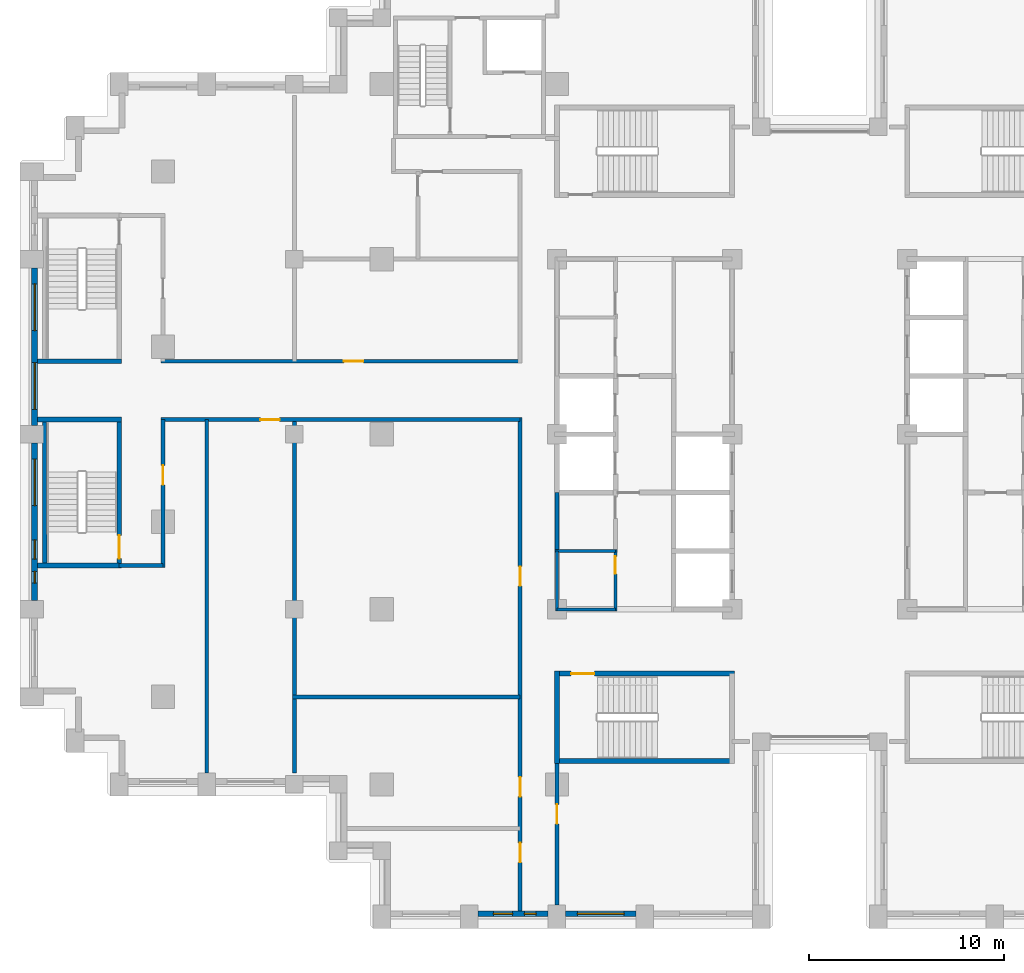
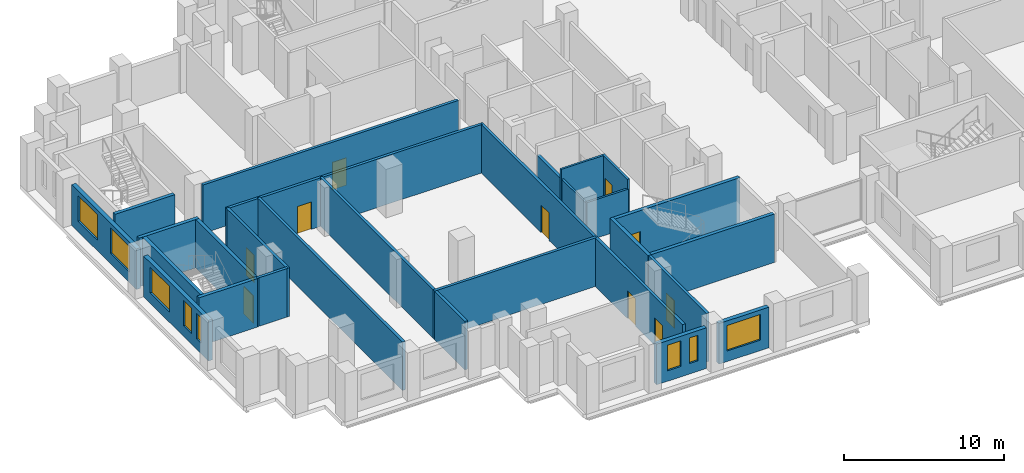
# One storey, part 6 of 15: 26 walls, 10 doors, 8 windows, 18 openings.
"""IFC4 building model written with IfcOpenShell, lengths in metres."""

from ifc_helpers import new_model, si_unit, direction, frame, frame_2d, origin, place, context, subcontext, project, spatial, rectangle, extrude, material, layer, layer_set, type_object, element, fill, save


model = new_model("IFC4")

# Units and contexts
model_context = context("Model", 3, precision=1e-05, world=origin(), true_north=direction((0.0, 1.0)))
body_context = subcontext(model_context, "Body", "Model", "MODEL_VIEW")
ifc_project = project(units=[si_unit("LENGTHUNIT", "METRE"), si_unit("AREAUNIT", "SQUARE_METRE"), si_unit("VOLUMEUNIT", "CUBIC_METRE"), si_unit("PLANEANGLEUNIT", "RADIAN"), si_unit("MASSUNIT", "GRAM", prefix="KILO")], contexts=[model_context])

# Site, building, storey
site_placement = place(None, origin())
site = spatial("IfcSite", under=ifc_project, at=site_placement, CompositionType="ELEMENT")
building_placement = place(site_placement, origin())
building = spatial("IfcBuilding", under=site, at=building_placement, Name="Corbelhall Arena Tower", CompositionType="ELEMENT")
storey_placement = place(building_placement, frame((0.0, 0.0, 88.0)))
storey = spatial("IfcBuildingStorey", under=building, at=storey_placement, Name="L14", CompositionType="ELEMENT", Elevation=88.0)

# Wall, openings, windows
ifc_material_1 = material(Name="Precast concrete C40/50 with granite facing", Category="masonry")
ifc_layer_1 = layer(ifc_material_1, 0.300048828125)
ifc_layer_set_1 = layer_set([ifc_layer_1], Name="EV-IW1 Infill panel 300")
wall_type_1 = type_object("IfcWallType", Name="EV-IW1 Infill panel 300", PredefinedType="SOLIDWALL", material=ifc_layer_set_1)
wall_1_placement = place(storey_placement, frame((-40.35009765625, 8.550048828125, 0.0), z_axis=(0.0, 0.0, 1.0), x_axis=(0.0, -1.0, 0.0)))
wall_1 = element("IfcWall", 1, at=wall_1_placement, inside=storey, type_object=wall_type_1, Name="Infill panel IW1", PredefinedType="SOLIDWALL", context=body_context, shape_type="SweptSolid", body=[
    extrude(rectangle(XDim=8.10009765625, YDim=0.300048828125, at=frame_2d((4.050048828125, 0.0))), origin(), (0.0, 0.0, 1.0), 3.10009765625),
])
opening_1_placement = place(wall_1_placement, frame((0.824951171875, 0.0, 0.800048828125)))
opening_1 = element("IfcOpeningElement", 2, at=opening_1_placement, cuts=wall_1, Name="Opening WN1", PredefinedType="OPENING", context=body_context, shape_type="SweptSolid", body=[
    extrude(rectangle(XDim=2.39990234375, YDim=1.949951171875, at=frame_2d((1.199951171875, 0.97509765625))), frame((0.0, 0.14990234375, 0.0), z_axis=(0.0, -1.0, 0.0), x_axis=(1.0, 0.0, 0.0)), (0.0, 0.0, 1.0), 0.300048828125),
])
opening_2_placement = place(wall_1_placement, frame((4.875, 0.0, 0.800048828125)))
opening_2 = element("IfcOpeningElement", 3, at=opening_2_placement, cuts=wall_1, Name="Opening WN1", PredefinedType="OPENING", context=body_context, shape_type="SweptSolid", body=[
    extrude(rectangle(XDim=2.39990234375, YDim=1.949951171875, at=frame_2d((1.199951171875, 0.97509765625))), frame((0.0, 0.14990234375, 0.0), z_axis=(0.0, -1.0, 0.0), x_axis=(1.0, 0.0, 0.0)), (0.0, 0.0, 1.0), 0.300048828125),
])
ifc_material_2 = material(Name="Aluminium black anodised", Category="aluminium")
window_type_1 = type_object("IfcWindowType", Name="EV-WN1 Office window", PartitioningType="SINGLE_PANEL", PredefinedType="WINDOW", material=ifc_material_2)
window_1_placement = place(opening_1_placement, origin())
window_1 = element("IfcWindow", 4, at=window_1_placement, inside=storey, type_object=window_type_1, Name="Window WN1", OverallHeight=1.949951171875, OverallWidth=2.39990234375, PartitioningType="SINGLE_PANEL", PredefinedType="WINDOW", context=body_context, shape_type="SweptSolid", body=[
    extrude(rectangle(XDim=2.39990234375, YDim=1.949951171875, at=frame_2d((1.199951171875, 0.97509765625))), frame((0.0, 0.030029296875, 0.0), z_axis=(0.0, -1.0, 0.0), x_axis=(1.0, 0.0, 0.0)), (0.0, 0.0, 1.0), 0.06005859375),
])
fill(opening_1, window_1)
window_2_placement = place(opening_2_placement, origin())
window_2 = element("IfcWindow", 5, at=window_2_placement, inside=storey, type_object=window_type_1, Name="Window WN1", OverallHeight=1.949951171875, OverallWidth=2.39990234375, PartitioningType="SINGLE_PANEL", PredefinedType="WINDOW", context=body_context, shape_type="SweptSolid", body=[
    extrude(rectangle(XDim=2.39990234375, YDim=1.949951171875, at=frame_2d((1.199951171875, 0.97509765625))), frame((0.0, 0.030029296875, 0.0), z_axis=(0.0, -1.0, 0.0), x_axis=(1.0, 0.0, 0.0)), (0.0, 0.0, 1.0), 0.06005859375),
])
fill(opening_2, window_2)

wall_2_placement = place(storey_placement, frame((-40.35009765625, -0.449951171875, 0.0), z_axis=(0.0, 0.0, 1.0), x_axis=(0.0, -1.0, 0.0)))
wall_2 = element("IfcWall", 6, at=wall_2_placement, inside=storey, type_object=wall_type_1, Name="Infill panel IW1", PredefinedType="SOLIDWALL", context=body_context, shape_type="SweptSolid", body=[
    extrude(rectangle(XDim=8.10009765625, YDim=0.300048828125, at=frame_2d((4.050048828125, 0.0))), origin(), (0.0, 0.0, 1.0), 3.10009765625),
])
opening_3_placement = place(wall_2_placement, frame((0.824951171875, 0.0, 0.800048828125)))
opening_3 = element("IfcOpeningElement", 7, at=opening_3_placement, cuts=wall_2, Name="Opening WN1", PredefinedType="OPENING", context=body_context, shape_type="SweptSolid", body=[
    extrude(rectangle(XDim=2.39990234375, YDim=1.949951171875, at=frame_2d((1.199951171875, 0.97509765625))), frame((0.0, 0.14990234375, 0.0), z_axis=(0.0, -1.0, 0.0), x_axis=(1.0, 0.0, 0.0)), (0.0, 0.0, 1.0), 0.300048828125),
])
opening_4_placement = place(wall_2_placement, frame((4.97509765625, 0.0, 0.800048828125)))
opening_4 = element("IfcOpeningElement", 8, at=opening_4_placement, cuts=wall_2, Name="Opening WN6", PredefinedType="OPENING", context=body_context, shape_type="SweptSolid", body=[
    extrude(rectangle(XDim=1.0, YDim=1.949951171875, at=frame_2d((0.5, 0.97509765625))), frame((0.0, 0.14990234375, 0.0), z_axis=(0.0, -1.0, 0.0), x_axis=(1.0, 0.0, 0.0)), (0.0, 0.0, 1.0), 0.300048828125),
])
opening_5_placement = place(wall_2_placement, frame((6.60009765625, 0.0, 0.800048828125)))
opening_5 = element("IfcOpeningElement", 9, at=opening_5_placement, cuts=wall_2, Name="Opening WN5", PredefinedType="OPENING", context=body_context, shape_type="SweptSolid", body=[
    extrude(rectangle(XDim=0.60009765625, YDim=1.949951171875, at=frame_2d((0.300048828125, 0.97509765625))), frame((0.0, 0.14990234375, 0.0), z_axis=(0.0, -1.0, 0.0), x_axis=(1.0, 0.0, 0.0)), (0.0, 0.0, 1.0), 0.300048828125),
])
window_3_placement = place(opening_3_placement, origin())
window_3 = element("IfcWindow", 10, at=window_3_placement, inside=storey, type_object=window_type_1, Name="Window WN1", OverallHeight=1.949951171875, OverallWidth=2.39990234375, PartitioningType="SINGLE_PANEL", PredefinedType="WINDOW", context=body_context, shape_type="SweptSolid", body=[
    extrude(rectangle(XDim=2.39990234375, YDim=1.949951171875, at=frame_2d((1.199951171875, 0.97509765625))), frame((0.0, 0.030029296875, 0.0), z_axis=(0.0, -1.0, 0.0), x_axis=(1.0, 0.0, 0.0)), (0.0, 0.0, 1.0), 0.06005859375),
])
fill(opening_3, window_3)
window_type_2 = type_object("IfcWindowType", Name="EV-WN5 Office window 600", PartitioningType="SINGLE_PANEL", PredefinedType="WINDOW", material=ifc_material_2)
window_4_placement = place(opening_5_placement, origin())
window_4 = element("IfcWindow", 11, at=window_4_placement, inside=storey, type_object=window_type_2, Name="Window WN5", OverallHeight=1.949951171875, OverallWidth=0.60009765625, PartitioningType="SINGLE_PANEL", PredefinedType="WINDOW", context=body_context, shape_type="SweptSolid", body=[
    extrude(rectangle(XDim=0.60009765625, YDim=1.949951171875, at=frame_2d((0.300048828125, 0.97509765625))), frame((0.0, 0.030029296875, 0.0), z_axis=(0.0, -1.0, 0.0), x_axis=(1.0, 0.0, 0.0)), (0.0, 0.0, 1.0), 0.06005859375),
])
fill(opening_5, window_4)
window_type_3 = type_object("IfcWindowType", Name="EV-WN6 Office window 1000", PartitioningType="SINGLE_PANEL", PredefinedType="WINDOW", material=ifc_material_2)
window_5_placement = place(opening_4_placement, origin())
window_5 = element("IfcWindow", 12, at=window_5_placement, inside=storey, type_object=window_type_3, Name="Window WN6", OverallHeight=1.949951171875, OverallWidth=1.0, PartitioningType="SINGLE_PANEL", PredefinedType="WINDOW", context=body_context, shape_type="SweptSolid", body=[
    extrude(rectangle(XDim=1.0, YDim=1.949951171875, at=frame_2d((0.5, 0.97509765625))), frame((0.0, 0.030029296875, 0.0), z_axis=(0.0, -1.0, 0.0), x_axis=(1.0, 0.0, 0.0)), (0.0, 0.0, 1.0), 0.06005859375),
])
fill(opening_4, window_5)

wall_3_placement = place(storey_placement, frame((-17.550048828125, -24.64990234375, 0.0), z_axis=(0.0, 0.0, 1.0), x_axis=(1.0, 0.0, 0.0)))
wall_3 = element("IfcWall", 13, at=wall_3_placement, inside=storey, type_object=wall_type_1, Name="Infill panel IW1", PredefinedType="SOLIDWALL", context=body_context, shape_type="SweptSolid", body=[
    extrude(rectangle(XDim=3.60009765625, YDim=0.300048828125, at=frame_2d((1.800048828125, 0.0))), origin(), (0.0, 0.0, 1.0), 3.10009765625),
])
opening_6_placement = place(wall_3_placement, frame((0.77490234375, 0.0, 0.800048828125)))
opening_6 = element("IfcOpeningElement", 14, at=opening_6_placement, cuts=wall_3, Name="Opening WN6", PredefinedType="OPENING", context=body_context, shape_type="SweptSolid", body=[
    extrude(rectangle(XDim=1.0, YDim=1.949951171875, at=frame_2d((0.5, 0.97509765625))), frame((0.0, 0.14990234375, 0.0), z_axis=(0.0, -1.0, 0.0), x_axis=(1.0, 0.0, 0.0)), (0.0, 0.0, 1.0), 0.300048828125),
])
opening_7_placement = place(wall_3_placement, frame((2.375, 0.0, 0.800048828125)))
opening_7 = element("IfcOpeningElement", 15, at=opening_7_placement, cuts=wall_3, Name="Opening WN5", PredefinedType="OPENING", context=body_context, shape_type="SweptSolid", body=[
    extrude(rectangle(XDim=0.60009765625, YDim=1.949951171875, at=frame_2d((0.300048828125, 0.97509765625))), frame((0.0, 0.14990234375, 0.0), z_axis=(0.0, -1.0, 0.0), x_axis=(1.0, 0.0, 0.0)), (0.0, 0.0, 1.0), 0.300048828125),
])
window_6_placement = place(opening_7_placement, origin())
window_6 = element("IfcWindow", 16, at=window_6_placement, inside=storey, type_object=window_type_2, Name="Window WN5", OverallHeight=1.949951171875, OverallWidth=0.60009765625, PartitioningType="SINGLE_PANEL", PredefinedType="WINDOW", context=body_context, shape_type="SweptSolid", body=[
    extrude(rectangle(XDim=0.60009765625, YDim=1.949951171875, at=frame_2d((0.300048828125, 0.97509765625))), frame((0.0, 0.030029296875, 0.0), z_axis=(0.0, -1.0, 0.0), x_axis=(1.0, 0.0, 0.0)), (0.0, 0.0, 1.0), 0.06005859375),
])
fill(opening_7, window_6)
window_7_placement = place(opening_6_placement, origin())
window_7 = element("IfcWindow", 17, at=window_7_placement, inside=storey, type_object=window_type_3, Name="Window WN6", OverallHeight=1.949951171875, OverallWidth=1.0, PartitioningType="SINGLE_PANEL", PredefinedType="WINDOW", context=body_context, shape_type="SweptSolid", body=[
    extrude(rectangle(XDim=1.0, YDim=1.949951171875, at=frame_2d((0.5, 0.97509765625))), frame((0.0, 0.030029296875, 0.0), z_axis=(0.0, -1.0, 0.0), x_axis=(1.0, 0.0, 0.0)), (0.0, 0.0, 1.0), 0.06005859375),
])
fill(opening_6, window_7)

# Wall, opening, window
wall_4_placement = place(storey_placement, frame((-13.050048828125, -24.64990234375, 0.0), z_axis=(0.0, 0.0, 1.0), x_axis=(1.0, 0.0, 0.0)))
wall_4 = element("IfcWall", 18, at=wall_4_placement, inside=storey, type_object=wall_type_1, Name="Infill panel IW1", PredefinedType="SOLIDWALL", context=body_context, shape_type="SweptSolid", body=[
    extrude(rectangle(XDim=3.60009765625, YDim=0.300048828125, at=frame_2d((1.800048828125, 0.0))), origin(), (0.0, 0.0, 1.0), 3.10009765625),
])
opening_8_placement = place(wall_4_placement, frame((0.60009765625, 0.0, 0.800048828125)))
opening_8 = element("IfcOpeningElement", 19, at=opening_8_placement, cuts=wall_4, Name="Opening WN1", PredefinedType="OPENING", context=body_context, shape_type="SweptSolid", body=[
    extrude(rectangle(XDim=2.39990234375, YDim=1.949951171875, at=frame_2d((1.199951171875, 0.97509765625))), frame((0.0, 0.14990234375, 0.0), z_axis=(0.0, -1.0, 0.0), x_axis=(1.0, 0.0, 0.0)), (0.0, 0.0, 1.0), 0.300048828125),
])
window_8_placement = place(opening_8_placement, origin())
window_8 = element("IfcWindow", 20, at=window_8_placement, inside=storey, type_object=window_type_1, Name="Window WN1", OverallHeight=1.949951171875, OverallWidth=2.39990234375, PartitioningType="SINGLE_PANEL", PredefinedType="WINDOW", context=body_context, shape_type="SweptSolid", body=[
    extrude(rectangle(XDim=2.39990234375, YDim=1.949951171875, at=frame_2d((1.199951171875, 0.97509765625))), frame((0.0, 0.030029296875, 0.0), z_axis=(0.0, -1.0, 0.0), x_axis=(1.0, 0.0, 0.0)), (0.0, 0.0, 1.0), 0.06005859375),
])
fill(opening_8, window_8)

# Wall, opening, door
ifc_material_3 = material(Name="Gypsum board on steel stud, acoustic", Category="steel")
ifc_layer_2 = layer(ifc_material_3, 0.199951171875)
ifc_layer_set_2 = layer_set([ifc_layer_2], Name="IN-W-DM200")
wall_type_2 = type_object("IfcWallType", Name="IN-W-DM200", PredefinedType="PARTITIONING", material=ifc_layer_set_2)
wall_5_placement = place(storey_placement, frame((-33.85009765625, 3.75, 0.0), z_axis=(0.0, 0.0, 1.0), x_axis=(1.0, 0.0, 0.0)))
wall_5 = element("IfcWall", 21, at=wall_5_placement, inside=storey, type_object=wall_type_2, Name="Partition 002", PredefinedType="PARTITIONING", context=body_context, shape_type="SweptSolid", body=[
    extrude(rectangle(XDim=18.4501953125, YDim=0.199951171875, at=frame_2d((9.22509765625, 0.0))), origin(), (0.0, 0.0, 1.0), 3.699951171875),
])
opening_9_placement = place(wall_5_placement, frame((9.39990234375, 0.0, 0.0)))
opening_9 = element("IfcOpeningElement", 22, at=opening_9_placement, cuts=wall_5, Name="Opening 02026", PredefinedType="OPENING", context=body_context, shape_type="SweptSolid", body=[
    extrude(rectangle(XDim=1.0, YDim=2.10009765625, at=frame_2d((0.5, 1.050048828125))), frame((0.0, 0.10009765625, 0.0), z_axis=(0.0, -1.0, 0.0), x_axis=(1.0, 0.0, 0.0)), (0.0, 0.0, 1.0), 0.199951171875),
])
ifc_material_4 = material(Name="Steel door set", Category="steel")
door_type_1 = type_object("IfcDoorType", Name="IN-D-SW100", OperationType="NOTDEFINED", PredefinedType="DOOR", material=ifc_material_4)
door_1_placement = place(opening_9_placement, origin())
door_1 = element("IfcDoor", 23, at=door_1_placement, inside=storey, type_object=door_type_1, Name="Door 026", OperationType="SINGLE_SWING_LEFT", OverallHeight=2.10009765625, OverallWidth=1.0, PredefinedType="DOOR", context=body_context, shape_type="SweptSolid", body=[
    extrude(rectangle(XDim=1.0, YDim=2.10009765625, at=frame_2d((0.5, 1.050048828125))), frame((0.0, 0.02490234375, 0.0), z_axis=(0.0, -1.0, 0.0), x_axis=(1.0, 0.0, 0.0)), (0.0, 0.0, 1.0), 0.050048828125),
])
fill(opening_9, door_1)

# Wall
wall_6_placement = place(storey_placement, frame((-33.75, -6.75, 0.0), z_axis=(0.0, 0.0, 1.0), x_axis=(-1.0, 0.0, 0.0)))
element("IfcWall", 24, at=wall_6_placement, inside=storey, type_object=wall_type_2, Name="Partition 003", PredefinedType="PARTITIONING", context=body_context, shape_type="SweptSolid", body=[
    extrude(rectangle(XDim=2.25, YDim=0.199951171875, at=frame_2d((1.125, 0.0))), origin(), (0.0, 0.0, 1.0), 3.699951171875),
])

# Wall, opening, door
wall_7_placement = place(storey_placement, frame((-33.75, 0.75, 0.0), z_axis=(0.0, 0.0, 1.0), x_axis=(0.0, -1.0, 0.0)))
wall_7 = element("IfcWall", 25, at=wall_7_placement, inside=storey, type_object=wall_type_2, Name="Partition 004", PredefinedType="PARTITIONING", context=body_context, shape_type="SweptSolid", body=[
    extrude(rectangle(XDim=7.60009765625, YDim=0.199951171875, at=frame_2d((3.800048828125, 0.0))), origin(), (0.0, 0.0, 1.0), 3.699951171875),
])
opening_10_placement = place(wall_7_placement, frame((2.35009765625, 0.0, 0.0)))
opening_10 = element("IfcOpeningElement", 26, at=opening_10_placement, cuts=wall_7, Name="Opening 02038", PredefinedType="OPENING", context=body_context, shape_type="SweptSolid", body=[
    extrude(rectangle(XDim=1.0, YDim=2.10009765625, at=frame_2d((0.5, 1.050048828125))), frame((0.0, 0.10009765625, 0.0), z_axis=(0.0, -1.0, 0.0), x_axis=(1.0, 0.0, 0.0)), (0.0, 0.0, 1.0), 0.199951171875),
])
door_2_placement = place(opening_10_placement, origin())
door_2 = element("IfcDoor", 27, at=door_2_placement, inside=storey, type_object=door_type_1, Name="Door 038", OperationType="SINGLE_SWING_LEFT", OverallHeight=2.10009765625, OverallWidth=1.0, PredefinedType="DOOR", context=body_context, shape_type="SweptSolid", body=[
    extrude(rectangle(XDim=1.0, YDim=2.10009765625, at=frame_2d((0.5, 1.050048828125))), frame((0.0, 0.02490234375, 0.0), z_axis=(0.0, -1.0, 0.0), x_axis=(1.0, 0.0, 0.0)), (0.0, 0.0, 1.0), 0.050048828125),
])
fill(opening_10, door_2)

# Wall
wall_8_placement = place(storey_placement, frame((-31.5, 0.75, 0.0), z_axis=(0.0, 0.0, 1.0), x_axis=(0.0, -1.0, 0.0)))
element("IfcWall", 28, at=wall_8_placement, inside=storey, type_object=wall_type_2, Name="Partition 006", PredefinedType="PARTITIONING", context=body_context, shape_type="SweptSolid", body=[
    extrude(rectangle(XDim=18.14990234375, YDim=0.199951171875, at=frame_2d((9.074951171875, 0.0))), origin(), (0.0, 0.0, 1.0), 3.699951171875),
])

# Wall, opening, door
wall_9_placement = place(storey_placement, frame((-15.39990234375, 0.75, 0.0), z_axis=(0.0, 0.0, 1.0), x_axis=(-1.0, 0.0, 0.0)))
wall_9 = element("IfcWall", 29, at=wall_9_placement, inside=storey, type_object=wall_type_2, Name="Partition 007", PredefinedType="PARTITIONING", context=body_context, shape_type="SweptSolid", body=[
    extrude(rectangle(XDim=18.4501953125, YDim=0.199951171875, at=frame_2d((9.22509765625, 0.0))), origin(), (0.0, 0.0, 1.0), 3.699951171875),
])
opening_11_placement = place(wall_9_placement, frame((12.35009765625, 0.0, 0.0)))
opening_11 = element("IfcOpeningElement", 30, at=opening_11_placement, cuts=wall_9, Name="Opening 02039", PredefinedType="OPENING", context=body_context, shape_type="SweptSolid", body=[
    extrude(rectangle(XDim=1.0, YDim=2.10009765625, at=frame_2d((0.5, 1.050048828125))), frame((0.0, 0.10009765625, 0.0), z_axis=(0.0, -1.0, 0.0), x_axis=(1.0, 0.0, 0.0)), (0.0, 0.0, 1.0), 0.199951171875),
])
door_3_placement = place(opening_11_placement, origin())
door_3 = element("IfcDoor", 31, at=door_3_placement, inside=storey, type_object=door_type_1, Name="Door 039", OperationType="SINGLE_SWING_RIGHT", OverallHeight=2.10009765625, OverallWidth=1.0, PredefinedType="DOOR", context=body_context, shape_type="SweptSolid", body=[
    extrude(rectangle(XDim=1.0, YDim=2.10009765625, at=frame_2d((0.5, 1.050048828125))), frame((0.0, 0.02490234375, 0.0), z_axis=(0.0, -1.0, 0.0), x_axis=(1.0, 0.0, 0.0)), (0.0, 0.0, 1.0), 0.050048828125),
])
fill(opening_11, door_3)

# Walls
wall_10_placement = place(storey_placement, frame((-27.10009765625, -13.5, 0.0), z_axis=(0.0, 0.0, 1.0), x_axis=(1.0, 0.0, 0.0)))
element("IfcWall", 32, at=wall_10_placement, inside=storey, type_object=wall_type_2, Name="Partition 008", PredefinedType="PARTITIONING", context=body_context, shape_type="SweptSolid", body=[
    extrude(rectangle(XDim=11.7001953125, YDim=0.199951171875, at=frame_2d((5.85009765625, 0.0))), origin(), (0.0, 0.0, 1.0), 3.699951171875),
])
wall_11_placement = place(storey_placement, frame((-27.0, -17.39990234375, 0.0), z_axis=(0.0, 0.0, 1.0), x_axis=(0.0, 1.0, 0.0)))
element("IfcWall", 33, at=wall_11_placement, inside=storey, type_object=wall_type_2, Name="Partition 010", PredefinedType="PARTITIONING", context=body_context, shape_type="SweptSolid", body=[
    extrude(rectangle(XDim=18.14990234375, YDim=0.199951171875, at=frame_2d((9.074951171875, 0.0))), origin(), (0.0, 0.0, 1.0), 3.699951171875),
])

# Wall, openings, doors
wall_12_placement = place(storey_placement, frame((-15.39990234375, -24.5, 0.0), z_axis=(0.0, 0.0, 1.0), x_axis=(0.0, 1.0, 0.0)))
wall_12 = element("IfcWall", 34, at=wall_12_placement, inside=storey, type_object=wall_type_2, Name="Partition 016", PredefinedType="PARTITIONING", context=body_context, shape_type="SweptSolid", body=[
    extrude(rectangle(XDim=25.35009765625, YDim=0.199951171875, at=frame_2d((12.675048828125, 0.0))), origin(), (0.0, 0.0, 1.0), 3.699951171875),
])
opening_12_placement = place(wall_12_placement, frame((2.5, 0.0, 0.0)))
opening_12 = element("IfcOpeningElement", 35, at=opening_12_placement, cuts=wall_12, Name="Opening 02029", PredefinedType="OPENING", context=body_context, shape_type="SweptSolid", body=[
    extrude(rectangle(XDim=1.0, YDim=2.10009765625, at=frame_2d((0.5, 1.050048828125))), frame((0.0, 0.10009765625, 0.0), z_axis=(0.0, -1.0, 0.0), x_axis=(1.0, 0.0, 0.0)), (0.0, 0.0, 1.0), 0.199951171875),
])
opening_13_placement = place(wall_12_placement, frame((5.875, 0.0, 0.0)))
opening_13 = element("IfcOpeningElement", 36, at=opening_13_placement, cuts=wall_12, Name="Opening 02030", PredefinedType="OPENING", context=body_context, shape_type="SweptSolid", body=[
    extrude(rectangle(XDim=1.0, YDim=2.10009765625, at=frame_2d((0.5, 1.050048828125))), frame((0.0, 0.10009765625, 0.0), z_axis=(0.0, -1.0, 0.0), x_axis=(1.0, 0.0, 0.0)), (0.0, 0.0, 1.0), 0.199951171875),
])
opening_14_placement = place(wall_12_placement, frame((16.699951171875, 0.0, 0.0)))
opening_14 = element("IfcOpeningElement", 37, at=opening_14_placement, cuts=wall_12, Name="Opening 02031", PredefinedType="OPENING", context=body_context, shape_type="SweptSolid", body=[
    extrude(rectangle(XDim=1.0, YDim=2.10009765625, at=frame_2d((0.5, 1.050048828125))), frame((0.0, 0.10009765625, 0.0), z_axis=(0.0, -1.0, 0.0), x_axis=(1.0, 0.0, 0.0)), (0.0, 0.0, 1.0), 0.199951171875),
])
door_4_placement = place(opening_12_placement, origin())
door_4 = element("IfcDoor", 38, at=door_4_placement, inside=storey, type_object=door_type_1, Name="Door 029", OperationType="SINGLE_SWING_RIGHT", OverallHeight=2.10009765625, OverallWidth=1.0, PredefinedType="DOOR", context=body_context, shape_type="SweptSolid", body=[
    extrude(rectangle(XDim=1.0, YDim=2.10009765625, at=frame_2d((0.5, 1.050048828125))), frame((0.0, 0.02490234375, 0.0), z_axis=(0.0, -1.0, 0.0), x_axis=(1.0, 0.0, 0.0)), (0.0, 0.0, 1.0), 0.050048828125),
])
fill(opening_12, door_4)
door_5_placement = place(opening_13_placement, origin())
door_5 = element("IfcDoor", 39, at=door_5_placement, inside=storey, type_object=door_type_1, Name="Door 030", OperationType="SINGLE_SWING_LEFT", OverallHeight=2.10009765625, OverallWidth=1.0, PredefinedType="DOOR", context=body_context, shape_type="SweptSolid", body=[
    extrude(rectangle(XDim=1.0, YDim=2.10009765625, at=frame_2d((0.5, 1.050048828125))), frame((0.0, 0.02490234375, 0.0), z_axis=(0.0, -1.0, 0.0), x_axis=(1.0, 0.0, 0.0)), (0.0, 0.0, 1.0), 0.050048828125),
])
fill(opening_13, door_5)
door_6_placement = place(opening_14_placement, origin())
door_6 = element("IfcDoor", 40, at=door_6_placement, inside=storey, type_object=door_type_1, Name="Door 031", OperationType="SINGLE_SWING_RIGHT", OverallHeight=2.10009765625, OverallWidth=1.0, PredefinedType="DOOR", context=body_context, shape_type="SweptSolid", body=[
    extrude(rectangle(XDim=1.0, YDim=2.10009765625, at=frame_2d((0.5, 1.050048828125))), frame((0.0, 0.02490234375, 0.0), z_axis=(0.0, -1.0, 0.0), x_axis=(1.0, 0.0, 0.0)), (0.0, 0.0, 1.0), 0.050048828125),
])
fill(opening_14, door_6)

# Wall, opening, door
wall_13_placement = place(storey_placement, frame((-13.5, -16.675048828125, 0.0), z_axis=(0.0, 0.0, 1.0), x_axis=(0.0, -1.0, 0.0)))
wall_13 = element("IfcWall", 41, at=wall_13_placement, inside=storey, type_object=wall_type_2, Name="Partition 019", PredefinedType="PARTITIONING", context=body_context, shape_type="SweptSolid", body=[
    extrude(rectangle(XDim=7.52490234375, YDim=0.199951171875, at=frame_2d((3.762451171875, 0.0))), origin(), (0.0, 0.0, 1.0), 3.699951171875),
])
opening_15_placement = place(wall_13_placement, frame((2.35009765625, 0.0, 0.0)))
opening_15 = element("IfcOpeningElement", 42, at=opening_15_placement, cuts=wall_13, Name="Opening 02024", PredefinedType="OPENING", context=body_context, shape_type="SweptSolid", body=[
    extrude(rectangle(XDim=1.0, YDim=2.10009765625, at=frame_2d((0.5, 1.050048828125))), frame((0.0, 0.10009765625, 0.0), z_axis=(0.0, -1.0, 0.0), x_axis=(1.0, 0.0, 0.0)), (0.0, 0.0, 1.0), 0.199951171875),
])
door_7_placement = place(opening_15_placement, origin())
door_7 = element("IfcDoor", 43, at=door_7_placement, inside=storey, type_object=door_type_1, Name="Door 024", OperationType="SINGLE_SWING_LEFT", OverallHeight=2.10009765625, OverallWidth=1.0, PredefinedType="DOOR", context=body_context, shape_type="SweptSolid", body=[
    extrude(rectangle(XDim=1.0, YDim=2.10009765625, at=frame_2d((0.5, 1.050048828125))), frame((0.0, 0.02490234375, 0.0), z_axis=(0.0, -1.0, 0.0), x_axis=(1.0, 0.0, 0.0)), (0.0, 0.0, 1.0), 0.050048828125),
])
fill(opening_15, door_7)

# Walls
ifc_material_5 = material(Name="Concrete block wall", Category="concrete")
ifc_layer_3 = layer(ifc_material_5, 0.199951171875)
ifc_layer_set_3 = layer_set([ifc_layer_3], Name="IN-W-RS200 under beam 762 mm")
wall_type_3 = type_object("IfcWallType", Name="IN-W-RS200 under beam 762 mm", PredefinedType="SOLIDWALL", material=ifc_layer_set_3)
wall_14_placement = place(storey_placement, frame((-13.5, -6.0, 0.0), z_axis=(0.0, 0.0, 1.0), x_axis=(0.0, 1.0, 0.0)))
element("IfcWall", 44, at=wall_14_placement, inside=storey, type_object=wall_type_3, Name="Partition 042", PredefinedType="SOLIDWALL", context=body_context, shape_type="SweptSolid", body=[
    extrude(rectangle(XDim=3.0, YDim=0.199951171875, at=frame_2d((1.5, 0.0))), origin(), (0.0, 0.0, 1.0), 2.93798828125),
])
ifc_material_6 = material(Name="Concrete C40/50", Category="concrete")
ifc_layer_4 = layer(ifc_material_6, 0.25)
ifc_layer_set_4 = layer_set([ifc_layer_4], Name="IN-W-ST250")
wall_type_4 = type_object("IfcWallType", Name="IN-W-ST250", PredefinedType="SOLIDWALL", material=ifc_layer_set_4)
wall_15_placement = place(storey_placement, frame((-40.199951171875, 3.75, 0.0), z_axis=(0.0, 0.0, 1.0), x_axis=(1.0, 0.0, 0.0)))
element("IfcWall", 45, at=wall_15_placement, inside=storey, type_object=wall_type_4, Name="Shaft wall 079", PredefinedType="SOLIDWALL", context=body_context, shape_type="SweptSolid", body=[
    extrude(rectangle(XDim=4.324951171875, YDim=0.25, at=frame_2d((2.16259765625, 0.0))), origin(), (0.0, 0.0, 1.0), 3.699951171875),
])
wall_16_placement = place(storey_placement, frame((-36.0, -6.75, 0.0), z_axis=(0.0, 0.0, 1.0), x_axis=(-1.0, 0.0, 0.0)))
element("IfcWall", 46, at=wall_16_placement, inside=storey, type_object=wall_type_4, Name="Shaft wall 081", PredefinedType="SOLIDWALL", context=body_context, shape_type="SweptSolid", body=[
    extrude(rectangle(XDim=4.199951171875, YDim=0.25, at=frame_2d((2.10009765625, 0.0))), origin(), (0.0, 0.0, 1.0), 3.699951171875),
])

# Wall, opening, door
wall_17_placement = place(storey_placement, frame((-36.0, 0.75, 0.0), z_axis=(0.0, 0.0, 1.0), x_axis=(0.0, -1.0, 0.0)))
wall_17 = element("IfcWall", 47, at=wall_17_placement, inside=storey, type_object=wall_type_4, Name="Shaft wall 082", PredefinedType="SOLIDWALL", context=body_context, shape_type="SweptSolid", body=[
    extrude(rectangle(XDim=7.625, YDim=0.25, at=frame_2d((3.8125, 0.0))), origin(), (0.0, 0.0, 1.0), 3.699951171875),
])
opening_16_placement = place(wall_17_placement, frame((5.949951171875, 0.0, 0.0)))
opening_16 = element("IfcOpeningElement", 48, at=opening_16_placement, cuts=wall_17, Name="Opening 02019", PredefinedType="OPENING", context=body_context, shape_type="SweptSolid", body=[
    extrude(rectangle(XDim=1.199951171875, YDim=2.10009765625, at=frame_2d((0.60009765625, 1.050048828125))), frame((0.0, 0.125, 0.0), z_axis=(0.0, -1.0, 0.0), x_axis=(1.0, 0.0, 0.0)), (0.0, 0.0, 1.0), 0.25),
])
door_type_2 = type_object("IfcDoorType", Name="IN-D-ST120", OperationType="NOTDEFINED", PredefinedType="DOOR", material=ifc_material_4)
door_8_placement = place(opening_16_placement, origin())
door_8 = element("IfcDoor", 49, at=door_8_placement, inside=storey, type_object=door_type_2, Name="Door 019", OperationType="SINGLE_SWING_RIGHT", OverallHeight=2.10009765625, OverallWidth=1.199951171875, PredefinedType="DOOR", context=body_context, shape_type="SweptSolid", body=[
    extrude(rectangle(XDim=1.199951171875, YDim=2.10009765625, at=frame_2d((0.60009765625, 1.050048828125))), frame((0.0, 0.02490234375, 0.0), z_axis=(0.0, -1.0, 0.0), x_axis=(1.0, 0.0, 0.0)), (0.0, 0.0, 1.0), 0.050048828125),
])
fill(opening_16, door_8)

# Walls
wall_18_placement = place(storey_placement, frame((-35.875, 0.75, 0.0), z_axis=(0.0, 0.0, 1.0), x_axis=(-1.0, 0.0, 0.0)))
element("IfcWall", 50, at=wall_18_placement, inside=storey, type_object=wall_type_4, Name="Shaft wall 084", PredefinedType="SOLIDWALL", context=body_context, shape_type="SweptSolid", body=[
    extrude(rectangle(XDim=4.324951171875, YDim=0.25, at=frame_2d((2.16259765625, 0.0))), origin(), (0.0, 0.0, 1.0), 3.699951171875),
])
wall_19_placement = place(storey_placement, frame((-13.5, -12.175048828125, 0.0), z_axis=(0.0, 0.0, 1.0), x_axis=(0.0, -1.0, 0.0)))
element("IfcWall", 51, at=wall_19_placement, inside=storey, type_object=wall_type_4, Name="Shaft wall 085", PredefinedType="SOLIDWALL", context=body_context, shape_type="SweptSolid", body=[
    extrude(rectangle(XDim=4.75, YDim=0.25, at=frame_2d((2.375, 0.0))), origin(), (0.0, 0.0, 1.0), 3.699951171875),
])
wall_20_placement = place(storey_placement, frame((-4.5, -16.800048828125, 0.0), z_axis=(0.0, 0.0, 1.0), x_axis=(-1.0, 0.0, 0.0)))
element("IfcWall", 52, at=wall_20_placement, inside=storey, type_object=wall_type_4, Name="Shaft wall 089", PredefinedType="SOLIDWALL", context=body_context, shape_type="SweptSolid", body=[
    extrude(rectangle(XDim=9.0, YDim=0.25, at=frame_2d((4.5, 0.0))), origin(), (0.0, 0.0, 1.0), 3.699951171875),
])

# Wall, opening, door
wall_21_placement = place(storey_placement, frame((-4.375, -12.300048828125, 0.0), z_axis=(0.0, 0.0, 1.0), x_axis=(-1.0, 0.0, 0.0)))
wall_21 = element("IfcWall", 53, at=wall_21_placement, inside=storey, type_object=wall_type_4, Name="Shaft wall 092", PredefinedType="SOLIDWALL", context=body_context, shape_type="SweptSolid", body=[
    extrude(rectangle(XDim=9.125, YDim=0.25, at=frame_2d((4.5625, 0.0))), origin(), (0.0, 0.0, 1.0), 3.699951171875),
])
opening_17_placement = place(wall_21_placement, frame((7.199951171875, 0.0, 0.0)))
opening_17 = element("IfcOpeningElement", 54, at=opening_17_placement, cuts=wall_21, Name="Opening 02015", PredefinedType="OPENING", context=body_context, shape_type="SweptSolid", body=[
    extrude(rectangle(XDim=1.199951171875, YDim=2.10009765625, at=frame_2d((0.60009765625, 1.050048828125))), frame((0.0, 0.125, 0.0), z_axis=(0.0, -1.0, 0.0), x_axis=(1.0, 0.0, 0.0)), (0.0, 0.0, 1.0), 0.25),
])
door_9_placement = place(opening_17_placement, origin())
door_9 = element("IfcDoor", 55, at=door_9_placement, inside=storey, type_object=door_type_2, Name="Door 015", OperationType="SINGLE_SWING_RIGHT", OverallHeight=2.10009765625, OverallWidth=1.199951171875, PredefinedType="DOOR", context=body_context, shape_type="SweptSolid", body=[
    extrude(rectangle(XDim=1.199951171875, YDim=2.10009765625, at=frame_2d((0.60009765625, 1.050048828125))), frame((0.0, 0.02490234375, 0.0), z_axis=(0.0, -1.0, 0.0), x_axis=(1.0, 0.0, 0.0)), (0.0, 0.0, 1.0), 0.050048828125),
])
fill(opening_17, door_9)

# Walls
wall_22_placement = place(storey_placement, frame((-39.824951171875, -6.625, 0.0), z_axis=(0.0, 0.0, 1.0), x_axis=(0.0, 1.0, 0.0)))
element("IfcWall", 56, at=wall_22_placement, inside=storey, type_object=wall_type_4, Name="Shaft wall SC2 facade side", PredefinedType="SOLIDWALL", context=body_context, shape_type="SweptSolid", body=[
    extrude(rectangle(XDim=7.25, YDim=0.25, at=frame_2d((3.625, 0.0))), origin(), (0.0, 0.0, 1.0), 3.699951171875),
])
ifc_material_7 = material(Name="Gypsum board on steel stud, moisture resistant", Category="steel")
ifc_layer_5 = layer(ifc_material_7, 0.14990234375)
ifc_layer_set_5 = layer_set([ifc_layer_5], Name="IN-W-WC150")
wall_type_5 = type_object("IfcWallType", Name="IN-W-WC150", PredefinedType="PARTITIONING", material=ifc_layer_set_5)
wall_23_placement = place(storey_placement, frame((-13.60009765625, -6.0, 0.0), z_axis=(0.0, 0.0, 1.0), x_axis=(1.0, 0.0, 0.0)))
element("IfcWall", 57, at=wall_23_placement, inside=storey, type_object=wall_type_5, Name="Partition 107", PredefinedType="PARTITIONING", context=body_context, shape_type="SweptSolid", body=[
    extrude(rectangle(XDim=3.10009765625, YDim=0.14990234375, at=frame_2d((1.550048828125, 0.0))), origin(), (0.0, 0.0, 1.0), 3.699951171875),
])

# Wall, opening, door
wall_24_placement = place(storey_placement, frame((-10.5, -9.074951171875, 0.0), z_axis=(0.0, 0.0, 1.0), x_axis=(0.0, 1.0, 0.0)))
wall_24 = element("IfcWall", 58, at=wall_24_placement, inside=storey, type_object=wall_type_5, Name="Partition 111", PredefinedType="PARTITIONING", context=body_context, shape_type="SweptSolid", body=[
    extrude(rectangle(XDim=3.14990234375, YDim=0.14990234375, at=frame_2d((1.574951171875, 0.0))), origin(), (0.0, 0.0, 1.0), 3.699951171875),
])
opening_18_placement = place(wall_24_placement, frame((1.89990234375, 0.0, 0.0)))
opening_18 = element("IfcOpeningElement", 59, at=opening_18_placement, cuts=wall_24, Name="Opening 02004", PredefinedType="OPENING", context=body_context, shape_type="SweptSolid", body=[
    extrude(rectangle(XDim=0.89990234375, YDim=2.10009765625, at=frame_2d((0.449951171875, 1.050048828125))), frame((0.0, 0.074951171875, 0.0), z_axis=(0.0, -1.0, 0.0), x_axis=(1.0, 0.0, 0.0)), (0.0, 0.0, 1.0), 0.14990234375),
])
ifc_material_8 = material(Name="Timber door set", Category="wood")
door_type_3 = type_object("IfcDoorType", Name="IN-D-SW90", OperationType="NOTDEFINED", PredefinedType="DOOR", material=ifc_material_8)
door_10_placement = place(opening_18_placement, origin())
door_10 = element("IfcDoor", 60, at=door_10_placement, inside=storey, type_object=door_type_3, Name="Door 004", OperationType="SINGLE_SWING_LEFT", OverallHeight=2.10009765625, OverallWidth=0.89990234375, PredefinedType="DOOR", context=body_context, shape_type="SweptSolid", body=[
    extrude(rectangle(XDim=0.89990234375, YDim=2.10009765625, at=frame_2d((0.449951171875, 1.050048828125))), frame((0.0, 0.02490234375, 0.0), z_axis=(0.0, -1.0, 0.0), x_axis=(1.0, 0.0, 0.0)), (0.0, 0.0, 1.0), 0.050048828125),
])
fill(opening_18, door_10)

# Walls
ifc_layer_6 = layer(ifc_material_7, 0.14990234375)
ifc_layer_set_6 = layer_set([ifc_layer_6], Name="IN-W-WC150 under beam 762 mm")
wall_type_6 = type_object("IfcWallType", Name="IN-W-WC150 under beam 762 mm", PredefinedType="PARTITIONING", material=ifc_layer_set_6)
wall_25_placement = place(storey_placement, frame((-13.5, -9.074951171875, 0.0), z_axis=(0.0, 0.0, 1.0), x_axis=(0.0, 1.0, 0.0)))
element("IfcWall", 61, at=wall_25_placement, inside=storey, type_object=wall_type_6, Name="Partition 109", PredefinedType="PARTITIONING", context=body_context, shape_type="SweptSolid", body=[
    extrude(rectangle(XDim=3.074951171875, YDim=0.14990234375, at=frame_2d((1.53759765625, 0.0))), origin(), (0.0, 0.0, 1.0), 2.93798828125),
])
wall_26_placement = place(storey_placement, frame((-10.5, -9.0, 0.0), z_axis=(0.0, 0.0, 1.0), x_axis=(-1.0, 0.0, 0.0)))
element("IfcWall", 62, at=wall_26_placement, inside=storey, type_object=wall_type_6, Name="Partition 112", PredefinedType="PARTITIONING", context=body_context, shape_type="SweptSolid", body=[
    extrude(rectangle(XDim=3.0, YDim=0.14990234375, at=frame_2d((1.5, 0.0))), origin(), (0.0, 0.0, 1.0), 2.93798828125),
])

save(model, "model.ifc")
